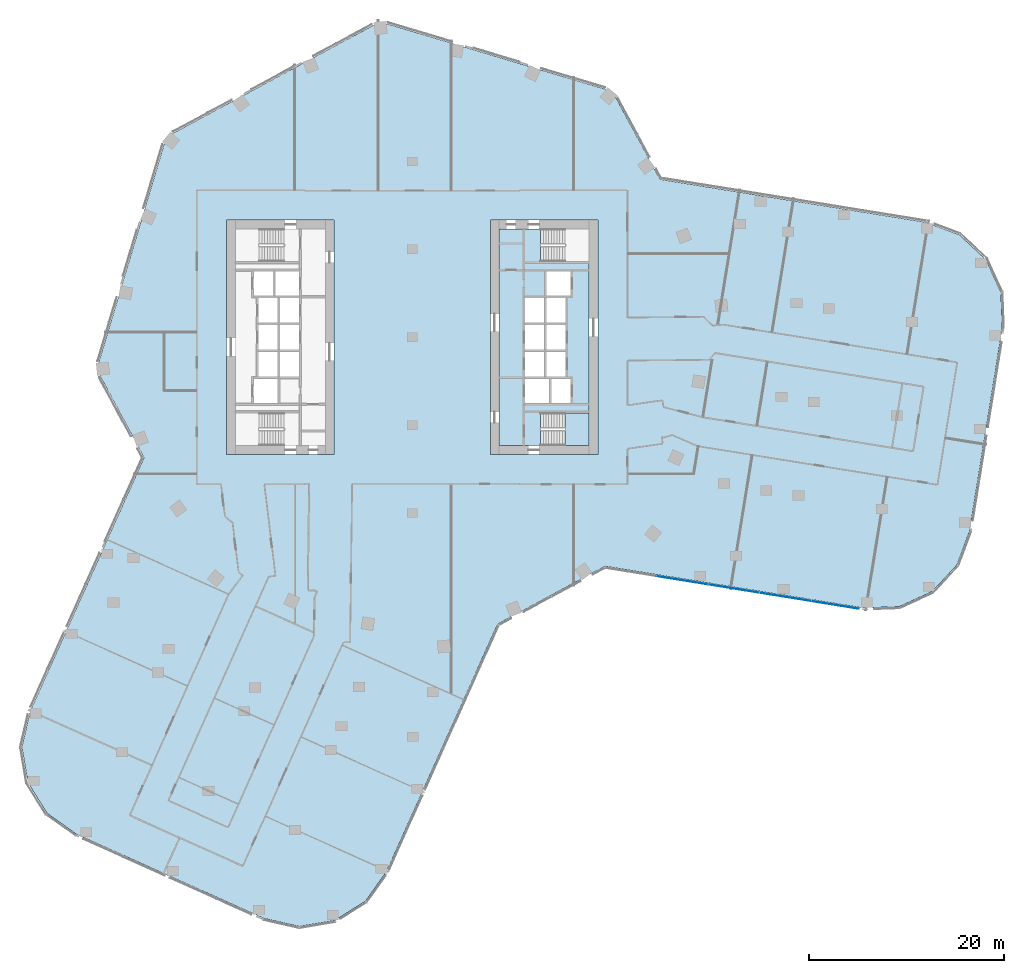
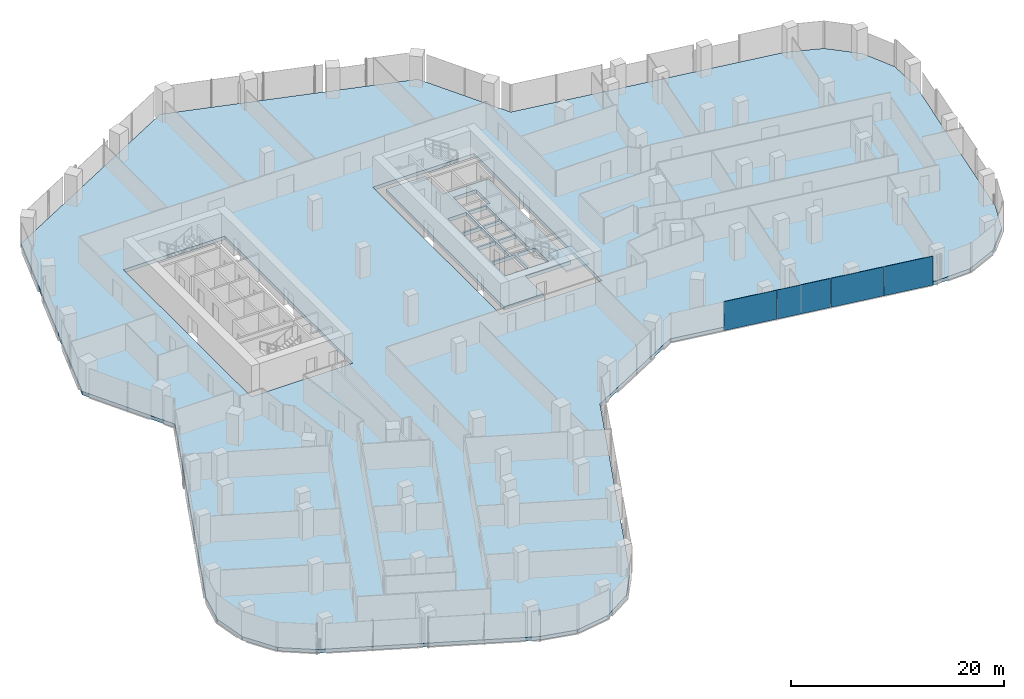
# One storey, part 21 of 34: 4 plates, 3 slabs, 2 elements without a shape of their own.
"""IFC4 building model written with IfcOpenShell, lengths in metres."""

from ifc_helpers import new_model, si_unit, direction, frame, origin, origin_2d, place, context, subcontext, project, spatial, polyline, rectangle, outline, extrude, material, layer, layer_set, type_object, element, aggregate, save


model = new_model("IFC4")

# Units and contexts
model_context = context("Model", 3, precision=1e-05, world=origin(), true_north=direction((0.0, 1.0)))
body_context = subcontext(model_context, "Body", "Model", "MODEL_VIEW")
ifc_project = project(units=[si_unit("LENGTHUNIT", "METRE"), si_unit("AREAUNIT", "SQUARE_METRE"), si_unit("VOLUMEUNIT", "CUBIC_METRE"), si_unit("PLANEANGLEUNIT", "RADIAN"), si_unit("MASSUNIT", "GRAM", prefix="KILO")], contexts=[model_context])

# Site, building, storey
site_placement = place(None, origin())
site = spatial("IfcSite", under=ifc_project, at=site_placement, CompositionType="ELEMENT")
building_placement = place(site_placement, origin())
building = spatial("IfcBuilding", under=site, at=building_placement, Name="Orlundy Tower", CompositionType="ELEMENT")
storey_placement = place(building_placement, frame((0.0, 0.0, 137.699951171875)))
storey = spatial("IfcBuildingStorey", under=building, at=storey_placement, Name="L35", CompositionType="ELEMENT", Elevation=137.699951171875)

# Curtain wall, plates
ifc_material_1 = material(Name="Aluminium bronze anodised", Category="aluminium")
curtain_wall_type = type_object("IfcCurtainWallType", Name="CW1 wall", PredefinedType="NOTDEFINED", material=ifc_material_1)
curtain_wall_placement = place(storey_placement, origin())
curtain_wall = element("IfcCurtainWall", 1, at=curtain_wall_placement, inside=storey, type_object=curtain_wall_type, Name="CW1 run 016", PredefinedType="NOTDEFINED")
ifc_material_2 = material(Name="Tinted glass", Category="glass")
ifc_layer_1 = layer(ifc_material_2, 0.031982421875)
ifc_layer_set_1 = layer_set([ifc_layer_1], Name="CW1 glass panel 32")
plate_type = type_object("IfcPlateType", Name="CW1 glass panel 32", PredefinedType="CURTAIN_PANEL", material=ifc_layer_set_1)
plate_1_placement = place(storey_placement, frame((43.31005859375, -27.413818359375, -0.280029296875), z_axis=(0.0, 0.0, 1.0), x_axis=(-0.987228432558, 0.159311085453, 0.0)))
plate_1 = element("IfcPlate", 2, at=plate_1_placement, type_object=plate_type, Name="CW1 panel", PredefinedType="CURTAIN_PANEL", context=body_context, shape_type="SweptSolid", body=[
    extrude(rectangle(XDim=4.91259765625, YDim=0.031982421875, at=origin_2d()), origin(), (0.0, 0.0, 1.0), 3.330078125),
])
plate_2_placement = place(storey_placement, frame((38.21630859375, -26.591796875, -0.280029296875), z_axis=(0.0, 0.0, 1.0), x_axis=(-0.987228432558, 0.159311085453, 0.0)))
plate_2 = element("IfcPlate", 3, at=plate_2_placement, type_object=plate_type, Name="CW1 panel", PredefinedType="CURTAIN_PANEL", context=body_context, shape_type="SweptSolid", body=[
    extrude(rectangle(XDim=5.306884765625, YDim=0.031982421875, at=origin_2d()), origin(), (0.0, 0.0, 1.0), 3.330078125),
])
plate_3_placement = place(storey_placement, frame((32.927978515625, -25.738525390625, -0.280029296875), z_axis=(0.0, 0.0, 1.0), x_axis=(-0.987228432558, 0.159311085453, 0.0)))
plate_3 = element("IfcPlate", 4, at=plate_3_placement, type_object=plate_type, Name="CW1 panel", PredefinedType="CURTAIN_PANEL", context=body_context, shape_type="SweptSolid", body=[
    extrude(rectangle(XDim=5.306884765625, YDim=0.031982421875, at=origin_2d()), origin(), (0.0, 0.0, 1.0), 3.330078125),
])
plate_4_placement = place(storey_placement, frame((27.639404296875, -24.885009765625, -0.280029296875), z_axis=(0.0, 0.0, 1.0), x_axis=(-0.987228432558, 0.159311085453, 0.0)))
plate_4 = element("IfcPlate", 5, at=plate_4_placement, type_object=plate_type, Name="CW1 panel", PredefinedType="CURTAIN_PANEL", context=body_context, shape_type="SweptSolid", body=[
    extrude(rectangle(XDim=5.306884765625, YDim=0.031982421875, at=origin_2d()), origin(), (0.0, 0.0, 1.0), 3.330078125),
])
aggregate(curtain_wall, [plate_1, plate_2, plate_3, plate_4])

# Slab
ifc_material_3 = material(Name="Concrete C50/60", Category="concrete")
ifc_layer_2 = layer(ifc_material_3, 0.409912109375)
ifc_layer_set_2 = layer_set([ifc_layer_2], Name="Core Floor Slab 410")
slab_type_1 = type_object("IfcSlabType", Name="Core Floor Slab 410", PredefinedType="FLOOR", material=ifc_layer_set_2)
slab_1_placement = place(storey_placement, frame((0.0, 0.0, -0.409912109375)))
element("IfcSlab", 6, at=slab_1_placement, inside=storey, type_object=slab_type_1, Name="Core floor E26", PredefinedType="FLOOR", context=body_context, shape_type="SweptSolid", body=[
    extrude(outline(polyline([(13.14501953125, -7.75), (13.14501953125, -11.10009765625), (8.89990234375, -11.10009765625), (8.89990234375, 11.10009765625), (13.14501953125, 11.10009765625), (13.14501953125, 7.75), (18.10009765625, 7.75), (18.10009765625, -7.75), (13.14501953125, -7.75)]), holes=[polyline([(16.239990234375, 6.77490234375), (13.739990234375, 6.77490234375), (13.739990234375, 4.22509765625), (16.239990234375, 4.22509765625), (16.239990234375, 6.77490234375)]), polyline([(13.5400390625, 1.47509765625), (13.5400390625, 4.02490234375), (11.5400390625, 4.02490234375), (11.5400390625, 1.47509765625), (13.5400390625, 1.47509765625)]), polyline([(13.739990234375, 1.47509765625), (15.739990234375, 1.47509765625), (15.739990234375, 4.02490234375), (13.739990234375, 4.02490234375), (13.739990234375, 1.47509765625)]), polyline([(11.5400390625, 1.27490234375), (11.5400390625, -1.27490234375), (13.5400390625, -1.27490234375), (13.5400390625, 1.27490234375), (11.5400390625, 1.27490234375)]), polyline([(15.739990234375, 1.27490234375), (13.739990234375, 1.27490234375), (13.739990234375, -1.27490234375), (15.739990234375, -1.27490234375), (15.739990234375, 1.27490234375)]), polyline([(13.5400390625, -4.02490234375), (13.5400390625, -1.47509765625), (11.5400390625, -1.47509765625), (11.5400390625, -4.02490234375), (13.5400390625, -4.02490234375)]), polyline([(13.739990234375, -4.02490234375), (15.739990234375, -4.02490234375), (15.739990234375, -1.47509765625), (13.739990234375, -1.47509765625), (13.739990234375, -4.02490234375)]), polyline([(11.5400390625, -4.22509765625), (11.5400390625, -6.77490234375), (14.0400390625, -6.77490234375), (14.0400390625, -4.22509765625), (11.5400390625, -4.22509765625)]), polyline([(16.239990234375, -4.22509765625), (14.239990234375, -4.22509765625), (14.239990234375, -6.77490234375), (16.239990234375, -6.77490234375), (16.239990234375, -4.22509765625)])]), origin(), (0.0, 0.0, 1.0), 0.409912109375),
])

# Stair, slab
ifc_material_4 = material(Name="Concrete C50/60", Category="concrete")
stair_type = type_object("IfcStairType", Name="Exit Stair 20 risers", PredefinedType="HALF_TURN_STAIR", material=ifc_material_4)
stair_placement = place(storey_placement, origin())
stair = element("IfcStair", 7, at=stair_placement, inside=storey, type_object=stair_type, Name="L35 Exit Stair ST-E1", PredefinedType="HALF_TURN_STAIR")
ifc_material_5 = material(Name="Concrete C50/60", Category="concrete")
ifc_layer_3 = layer(ifc_material_5, 0.199951171875)
ifc_layer_set_3 = layer_set([ifc_layer_3], Name="Exit Stair Landing")
slab_type_2 = type_object("IfcSlabType", Name="Exit Stair Landing", PredefinedType="LANDING", material=ifc_layer_set_3)
slab_2_placement = place(storey_placement, frame((0.0, 0.0, 1.550048828125)))
slab_2 = element("IfcSlab", 8, at=slab_2_placement, type_object=slab_type_2, Name="ST-E1 landing 1", PredefinedType="LANDING", context=body_context, shape_type="SweptSolid", body=[
    extrude(outline(polyline([(15.659912109375, -11.10009765625), (18.10009765625, -11.10009765625), (18.10009765625, -7.75), (15.659912109375, -7.75), (15.659912109375, -11.10009765625)])), origin(), (0.0, 0.0, 1.0), 0.199951171875),
])
aggregate(stair, [slab_2])

# Slab
ifc_material_6 = material(Name="Concrete C45/55", Category="concrete")
ifc_layer_4 = layer(ifc_material_6, 0.39990234375)
ifc_layer_set_4 = layer_set([ifc_layer_4], Name="FLOOR SLAB THICK 400 C45/55")
slab_type_3 = type_object("IfcSlabType", Name="FLOOR SLAB THICK 400 C45/55", PredefinedType="FLOOR", material=ifc_layer_set_4)
slab_3_placement = place(storey_placement, frame((0.0, 0.0, -0.39990234375)))
element("IfcSlab", 9, at=slab_3_placement, inside=storey, type_object=slab_type_3, Name="Floor slab L35", PredefinedType="FLOOR", context=body_context, shape_type="SweptSolid", body=[
    extrude(outline(polyline([(-27.445068359375, -12.31103515625), (-32.303955078125, -3.300048828125), (-25.176025390625, 20.508056640625), (-3.300048828125, 32.303955078125), (20.508056640625, 25.176025390625), (25.366943359375, 16.1650390625), (52.548095703125, 11.779052734375), (56.02099609375, 10.486083984375), (58.736083984375, 7.9619140625), (60.278076171875, 4.591064453125), (60.4130859375, 0.886962890625), (57.06689453125, -19.844970703125), (55.77392578125, -23.319091796875), (53.25, -26.032958984375), (49.8798828125, -27.574951171875), (46.175048828125, -27.7099609375), (19.73291015625, -23.443115234375), (8.742919921875, -29.368896484375), (-2.632080078125, -54.718017578125), (-4.780029296875, -57.739013671875), (-7.9208984375, -59.7080078125), (-11.575927734375, -60.324951171875), (-15.18798828125, -59.49609375), (-34.347900390625, -50.89892578125), (-37.368896484375, -48.7509765625), (-39.337890625, -45.610107421875), (-39.955078125, -41.955078125), (-39.1259765625, -38.342041015625), (-27.445068359375, -12.31103515625)]), holes=[polyline([(-8.0, -12.0), (-8.0, 12.0), (-19.0, 12.0), (-19.0, -12.0), (-8.0, -12.0)]), polyline([(19.0, -12.0), (19.0, 12.0), (8.0, 12.0), (8.0, -12.0), (19.0, -12.0)])]), origin(), (0.0, 0.0, 1.0), 0.39990234375),
])

save(model, "model.ifc")
